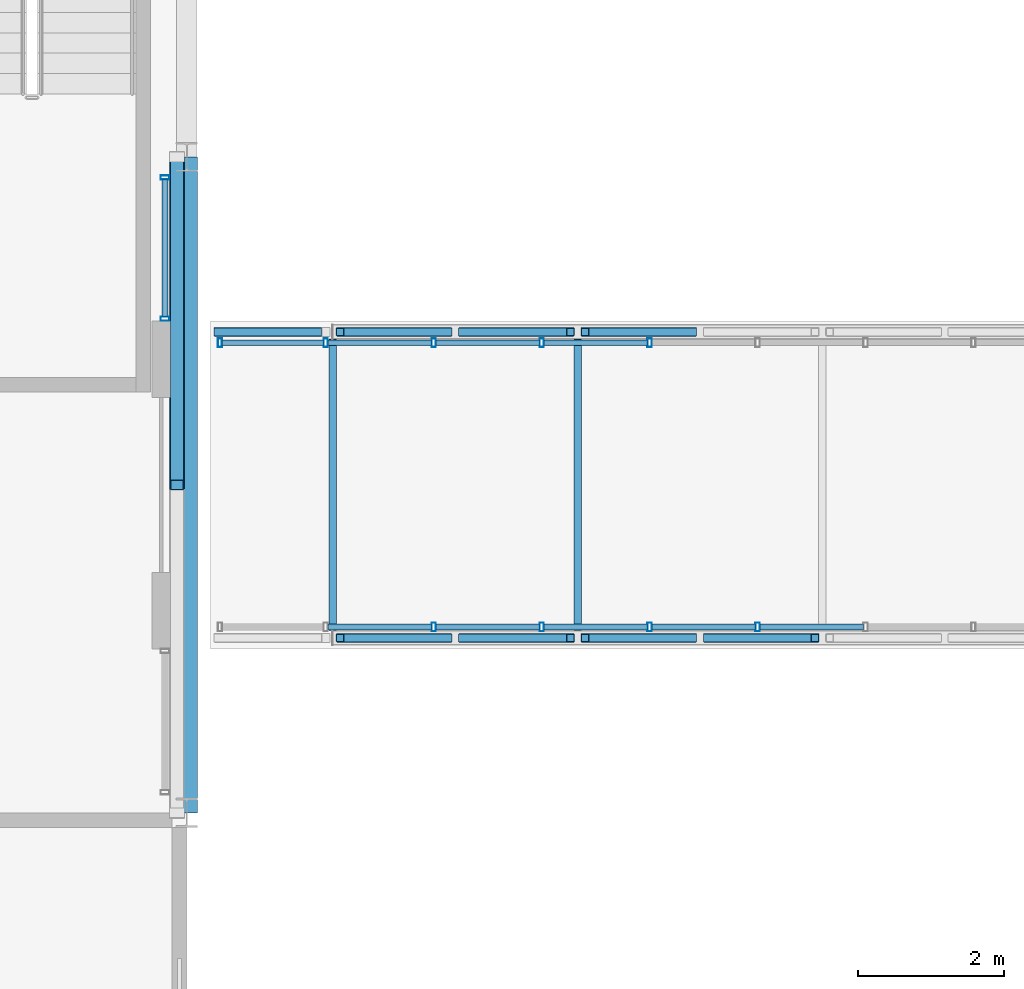
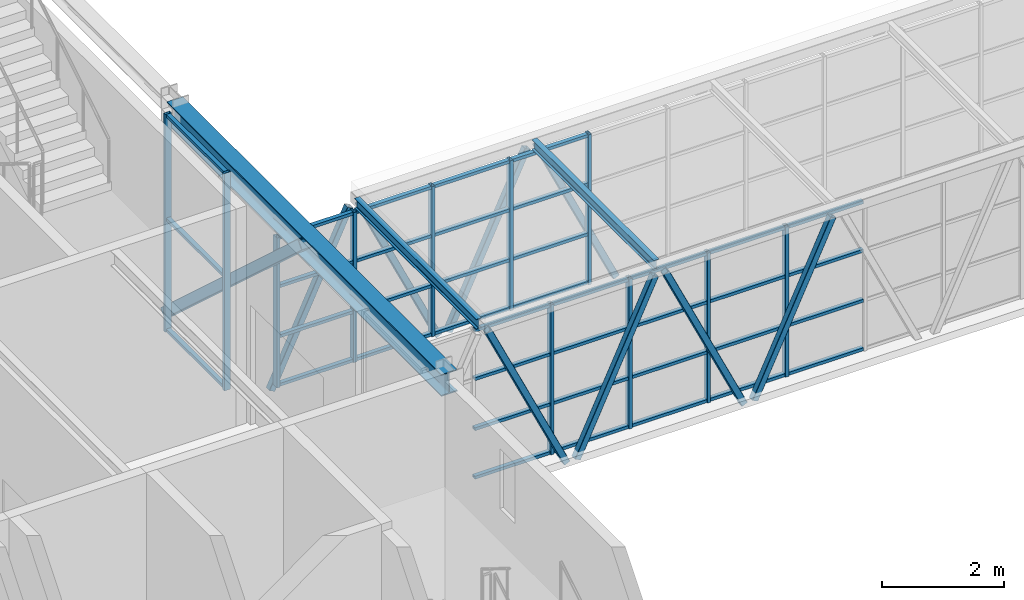
# One storey, part 53 of 149: 59 members, 3 beams, 3 elements without a shape of their own.
"""IFC4 building model written with IfcOpenShell, lengths in metres."""

from ifc_helpers import new_model, si_unit, direction, frame, origin, origin_2d, place, context, subcontext, project, spatial, hollow_rectangle, i_section, extrude, material, layer, layer_set, material_profile, profile_set, type_object, element, aggregate, save


model = new_model("IFC4")

# Units and contexts
model_context = context("Model", 3, precision=1e-05, world=origin(), true_north=direction((0.0, 1.0)))
body_context = subcontext(model_context, "Body", "Model", "MODEL_VIEW")
ifc_project = project(units=[si_unit("LENGTHUNIT", "METRE"), si_unit("AREAUNIT", "SQUARE_METRE"), si_unit("VOLUMEUNIT", "CUBIC_METRE"), si_unit("PLANEANGLEUNIT", "RADIAN"), si_unit("MASSUNIT", "GRAM", prefix="KILO")], contexts=[model_context])

# Site, building, storey
site_placement = place(None, origin())
site = spatial("IfcSite", under=ifc_project, at=site_placement, CompositionType="ELEMENT")
building_placement = place(site_placement, origin())
building = spatial("IfcBuilding", under=site, at=building_placement, Name="Kallimachos Central Library", CompositionType="ELEMENT")
storey_placement = place(building_placement, frame((0.0, 0.0, 9.89990234375)))
storey = spatial("IfcBuildingStorey", under=building, at=storey_placement, Name="L02", CompositionType="ELEMENT", Elevation=9.89990234375)

# Curtain wall, members
ifc_material_1 = material(Name="Aluminium and laminated glass", Category="aluminium")
curtain_wall_type_1 = type_object("IfcCurtainWallType", Name="Link glazed wall", PredefinedType="NOTDEFINED", material=ifc_material_1)
curtain_wall_1_placement = place(storey_placement, origin())
curtain_wall_1 = element("IfcCurtainWall", 1, at=curtain_wall_1_placement, inside=storey, type_object=curtain_wall_type_1, Name="V1 to V3 bridge glazed side", PredefinedType="NOTDEFINED")
ifc_material_2 = material(Name="Anodised aluminium", Category="aluminium")
ifc_material_profile_1 = material_profile(ifc_material_2, hollow_rectangle(XDim=0.06005859375, YDim=0.1201171875, WallThickness=0.00390625, at=origin_2d()), Name="ALU MULLION 60x120")
ifc_profile_set_1 = profile_set([ifc_material_profile_1], Name="Anodised aluminium")
member_type_1 = type_object("IfcMemberType", Name="ALU MULLION 60x120 mullion", PredefinedType="MULLION", material=ifc_profile_set_1)
member_1_placement = place(storey_placement, frame((113.888916015625, 98.550048828125, 0.0), z_axis=(0.0, 0.0, 1.0), x_axis=(1.0, 0.0, 0.0)))
member_1 = element("IfcMember", 2, at=member_1_placement, type_object=member_type_1, Name="CW74 mullion 3", PredefinedType="MULLION", context=body_context, shape_type="SweptSolid", body=[
    extrude(hollow_rectangle(XDim=0.06005859375, YDim=0.1201171875, WallThickness=0.00390625, at=origin_2d()), origin(), (0.0, 0.0, 1.0), 3.0),
])
member_2_placement = place(storey_placement, frame((115.370849609375, 98.550048828125, 0.0), z_axis=(0.0, 0.0, 1.0), x_axis=(1.0, 0.0, 0.0)))
member_2 = element("IfcMember", 3, at=member_2_placement, type_object=member_type_1, Name="CW74 mullion 4", PredefinedType="MULLION", context=body_context, shape_type="SweptSolid", body=[
    extrude(hollow_rectangle(XDim=0.06005859375, YDim=0.1201171875, WallThickness=0.00390625, at=origin_2d()), origin(), (0.0, 0.0, 1.0), 3.0),
])
member_3_placement = place(storey_placement, frame((116.852783203125, 98.550048828125, 0.0), z_axis=(0.0, 0.0, 1.0), x_axis=(1.0, 0.0, 0.0)))
member_3 = element("IfcMember", 4, at=member_3_placement, type_object=member_type_1, Name="CW74 mullion 5", PredefinedType="MULLION", context=body_context, shape_type="SweptSolid", body=[
    extrude(hollow_rectangle(XDim=0.06005859375, YDim=0.1201171875, WallThickness=0.00390625, at=origin_2d()), origin(), (0.0, 0.0, 1.0), 3.0),
])
member_4_placement = place(storey_placement, frame((118.334716796875, 98.550048828125, 0.0), z_axis=(0.0, 0.0, 1.0), x_axis=(1.0, 0.0, 0.0)))
member_4 = element("IfcMember", 5, at=member_4_placement, type_object=member_type_1, Name="CW74 mullion 6", PredefinedType="MULLION", context=body_context, shape_type="SweptSolid", body=[
    extrude(hollow_rectangle(XDim=0.06005859375, YDim=0.1201171875, WallThickness=0.00390625, at=origin_2d()), origin(), (0.0, 0.0, 1.0), 3.0),
])

curtain_wall_2_placement = place(storey_placement, origin())
curtain_wall_2 = element("IfcCurtainWall", 6, at=curtain_wall_2_placement, inside=storey, type_object=curtain_wall_type_1, Name="V1 to V3 bridge glazed side", PredefinedType="NOTDEFINED")
member_5_placement = place(storey_placement, frame((110.955078125, 102.449951171875, 0.0), z_axis=(0.0, 0.0, 1.0), x_axis=(1.0, 0.0, 0.0)))
member_5 = element("IfcMember", 7, at=member_5_placement, type_object=member_type_1, Name="CW75 mullion 1", PredefinedType="MULLION", context=body_context, shape_type="SweptSolid", body=[
    extrude(hollow_rectangle(XDim=0.06005859375, YDim=0.1201171875, WallThickness=0.00390625, at=origin_2d()), origin(), (0.0, 0.0, 1.0), 3.0),
])
member_6_placement = place(storey_placement, frame((112.406982421875, 102.449951171875, 0.0), z_axis=(0.0, 0.0, 1.0), x_axis=(1.0, 0.0, 0.0)))
member_6 = element("IfcMember", 8, at=member_6_placement, type_object=member_type_1, Name="CW75 mullion 2", PredefinedType="MULLION", context=body_context, shape_type="SweptSolid", body=[
    extrude(hollow_rectangle(XDim=0.06005859375, YDim=0.1201171875, WallThickness=0.00390625, at=origin_2d()), origin(), (0.0, 0.0, 1.0), 3.0),
])
member_7_placement = place(storey_placement, frame((113.888916015625, 102.449951171875, 0.0), z_axis=(0.0, 0.0, 1.0), x_axis=(1.0, 0.0, 0.0)))
member_7 = element("IfcMember", 9, at=member_7_placement, type_object=member_type_1, Name="CW75 mullion 3", PredefinedType="MULLION", context=body_context, shape_type="SweptSolid", body=[
    extrude(hollow_rectangle(XDim=0.06005859375, YDim=0.1201171875, WallThickness=0.00390625, at=origin_2d()), origin(), (0.0, 0.0, 1.0), 3.0),
])
member_8_placement = place(storey_placement, frame((115.370849609375, 102.449951171875, 0.0), z_axis=(0.0, 0.0, 1.0), x_axis=(1.0, 0.0, 0.0)))
member_8 = element("IfcMember", 10, at=member_8_placement, type_object=member_type_1, Name="CW75 mullion 4", PredefinedType="MULLION", context=body_context, shape_type="SweptSolid", body=[
    extrude(hollow_rectangle(XDim=0.06005859375, YDim=0.1201171875, WallThickness=0.00390625, at=origin_2d()), origin(), (0.0, 0.0, 1.0), 3.0),
])
member_9_placement = place(storey_placement, frame((116.852783203125, 102.449951171875, 0.0), z_axis=(0.0, 0.0, 1.0), x_axis=(1.0, 0.0, 0.0)))
member_9 = element("IfcMember", 11, at=member_9_placement, type_object=member_type_1, Name="CW75 mullion 5", PredefinedType="MULLION", context=body_context, shape_type="SweptSolid", body=[
    extrude(hollow_rectangle(XDim=0.06005859375, YDim=0.1201171875, WallThickness=0.00390625, at=origin_2d()), origin(), (0.0, 0.0, 1.0), 3.0),
])

# Member
ifc_material_3 = material(Name="Anodised aluminium", Category="aluminium")
ifc_material_profile_2 = material_profile(ifc_material_3, hollow_rectangle(XDim=0.06005859375, YDim=0.080078125, WallThickness=0.00390625, at=origin_2d()), Name="ALU TRANSOM 60x80")
ifc_profile_set_2 = profile_set([ifc_material_profile_2], Name="Anodised aluminium")
member_type_2 = type_object("IfcMemberType", Name="ALU TRANSOM 60x80 transom", PredefinedType="USERDEFINED", material=ifc_profile_set_2)
member_10_placement = place(storey_placement, frame((112.43701171875, 98.550048828125, 0.030029296875), z_axis=(1.0, 0.0, 0.0), x_axis=(0.0, 0.0, 1.0)))
member_10 = element("IfcMember", 12, at=member_10_placement, type_object=member_type_2, Name="CW74 transom 2.1", ObjectType="TRANSOM", PredefinedType="USERDEFINED", context=body_context, shape_type="SweptSolid", body=[
    extrude(hollow_rectangle(XDim=0.06005859375, YDim=0.080078125, WallThickness=0.00390625, at=origin_2d()), origin(), (0.0, 0.0, 1.0), 1.421875),
])

member_11_placement = place(storey_placement, frame((112.43701171875, 98.550048828125, 1.0), z_axis=(1.0, 0.0, 0.0), x_axis=(0.0, 0.0, 1.0)))
member_11 = element("IfcMember", 13, at=member_11_placement, type_object=member_type_2, Name="CW74 transom 2.2", ObjectType="TRANSOM", PredefinedType="USERDEFINED", context=body_context, shape_type="SweptSolid", body=[
    extrude(hollow_rectangle(XDim=0.06005859375, YDim=0.080078125, WallThickness=0.00390625, at=origin_2d()), origin(), (0.0, 0.0, 1.0), 1.421875),
])

member_12_placement = place(storey_placement, frame((112.43701171875, 98.550048828125, 2.0), z_axis=(1.0, 0.0, 0.0), x_axis=(0.0, 0.0, 1.0)))
member_12 = element("IfcMember", 14, at=member_12_placement, type_object=member_type_2, Name="CW74 transom 2.3", ObjectType="TRANSOM", PredefinedType="USERDEFINED", context=body_context, shape_type="SweptSolid", body=[
    extrude(hollow_rectangle(XDim=0.06005859375, YDim=0.080078125, WallThickness=0.00390625, at=origin_2d()), origin(), (0.0, 0.0, 1.0), 1.421875),
])

member_13_placement = place(storey_placement, frame((112.43701171875, 98.550048828125, 2.97021484375), z_axis=(1.0, 0.0, 0.0), x_axis=(0.0, 0.0, 1.0)))
member_13 = element("IfcMember", 15, at=member_13_placement, type_object=member_type_2, Name="CW74 transom 2.4", ObjectType="TRANSOM", PredefinedType="USERDEFINED", context=body_context, shape_type="SweptSolid", body=[
    extrude(hollow_rectangle(XDim=0.06005859375, YDim=0.080078125, WallThickness=0.00390625, at=origin_2d()), origin(), (0.0, 0.0, 1.0), 1.421875),
])

member_14_placement = place(storey_placement, frame((113.9189453125, 98.550048828125, 0.030029296875), z_axis=(1.0, 0.0, 0.0), x_axis=(0.0, 0.0, 1.0)))
member_14 = element("IfcMember", 16, at=member_14_placement, type_object=member_type_2, Name="CW74 transom 3.1", ObjectType="TRANSOM", PredefinedType="USERDEFINED", context=body_context, shape_type="SweptSolid", body=[
    extrude(hollow_rectangle(XDim=0.06005859375, YDim=0.080078125, WallThickness=0.00390625, at=origin_2d()), origin(), (0.0, 0.0, 1.0), 1.421875),
])

member_15_placement = place(storey_placement, frame((113.9189453125, 98.550048828125, 1.0), z_axis=(1.0, 0.0, 0.0), x_axis=(0.0, 0.0, 1.0)))
member_15 = element("IfcMember", 17, at=member_15_placement, type_object=member_type_2, Name="CW74 transom 3.2", ObjectType="TRANSOM", PredefinedType="USERDEFINED", context=body_context, shape_type="SweptSolid", body=[
    extrude(hollow_rectangle(XDim=0.06005859375, YDim=0.080078125, WallThickness=0.00390625, at=origin_2d()), origin(), (0.0, 0.0, 1.0), 1.421875),
])

member_16_placement = place(storey_placement, frame((113.9189453125, 98.550048828125, 2.0), z_axis=(1.0, 0.0, 0.0), x_axis=(0.0, 0.0, 1.0)))
member_16 = element("IfcMember", 18, at=member_16_placement, type_object=member_type_2, Name="CW74 transom 3.3", ObjectType="TRANSOM", PredefinedType="USERDEFINED", context=body_context, shape_type="SweptSolid", body=[
    extrude(hollow_rectangle(XDim=0.06005859375, YDim=0.080078125, WallThickness=0.00390625, at=origin_2d()), origin(), (0.0, 0.0, 1.0), 1.421875),
])

member_17_placement = place(storey_placement, frame((113.9189453125, 98.550048828125, 2.97021484375), z_axis=(1.0, 0.0, 0.0), x_axis=(0.0, 0.0, 1.0)))
member_17 = element("IfcMember", 19, at=member_17_placement, type_object=member_type_2, Name="CW74 transom 3.4", ObjectType="TRANSOM", PredefinedType="USERDEFINED", context=body_context, shape_type="SweptSolid", body=[
    extrude(hollow_rectangle(XDim=0.06005859375, YDim=0.080078125, WallThickness=0.00390625, at=origin_2d()), origin(), (0.0, 0.0, 1.0), 1.421875),
])

member_18_placement = place(storey_placement, frame((115.40087890625, 98.550048828125, 0.030029296875), z_axis=(1.0, 0.0, 0.0), x_axis=(0.0, 0.0, 1.0)))
member_18 = element("IfcMember", 20, at=member_18_placement, type_object=member_type_2, Name="CW74 transom 4.1", ObjectType="TRANSOM", PredefinedType="USERDEFINED", context=body_context, shape_type="SweptSolid", body=[
    extrude(hollow_rectangle(XDim=0.06005859375, YDim=0.080078125, WallThickness=0.00390625, at=origin_2d()), origin(), (0.0, 0.0, 1.0), 1.421875),
])

member_19_placement = place(storey_placement, frame((115.40087890625, 98.550048828125, 1.0), z_axis=(1.0, 0.0, 0.0), x_axis=(0.0, 0.0, 1.0)))
member_19 = element("IfcMember", 21, at=member_19_placement, type_object=member_type_2, Name="CW74 transom 4.2", ObjectType="TRANSOM", PredefinedType="USERDEFINED", context=body_context, shape_type="SweptSolid", body=[
    extrude(hollow_rectangle(XDim=0.06005859375, YDim=0.080078125, WallThickness=0.00390625, at=origin_2d()), origin(), (0.0, 0.0, 1.0), 1.421875),
])

member_20_placement = place(storey_placement, frame((115.40087890625, 98.550048828125, 2.0), z_axis=(1.0, 0.0, 0.0), x_axis=(0.0, 0.0, 1.0)))
member_20 = element("IfcMember", 22, at=member_20_placement, type_object=member_type_2, Name="CW74 transom 4.3", ObjectType="TRANSOM", PredefinedType="USERDEFINED", context=body_context, shape_type="SweptSolid", body=[
    extrude(hollow_rectangle(XDim=0.06005859375, YDim=0.080078125, WallThickness=0.00390625, at=origin_2d()), origin(), (0.0, 0.0, 1.0), 1.421875),
])

member_21_placement = place(storey_placement, frame((115.40087890625, 98.550048828125, 2.97021484375), z_axis=(1.0, 0.0, 0.0), x_axis=(0.0, 0.0, 1.0)))
member_21 = element("IfcMember", 23, at=member_21_placement, type_object=member_type_2, Name="CW74 transom 4.4", ObjectType="TRANSOM", PredefinedType="USERDEFINED", context=body_context, shape_type="SweptSolid", body=[
    extrude(hollow_rectangle(XDim=0.06005859375, YDim=0.080078125, WallThickness=0.00390625, at=origin_2d()), origin(), (0.0, 0.0, 1.0), 1.421875),
])

member_22_placement = place(storey_placement, frame((116.8828125, 98.550048828125, 0.030029296875), z_axis=(1.0, 0.0, 0.0), x_axis=(0.0, 0.0, 1.0)))
member_22 = element("IfcMember", 24, at=member_22_placement, type_object=member_type_2, Name="CW74 transom 5.1", ObjectType="TRANSOM", PredefinedType="USERDEFINED", context=body_context, shape_type="SweptSolid", body=[
    extrude(hollow_rectangle(XDim=0.06005859375, YDim=0.080078125, WallThickness=0.00390625, at=origin_2d()), origin(), (0.0, 0.0, 1.0), 1.421875),
])

member_23_placement = place(storey_placement, frame((116.8828125, 98.550048828125, 1.0), z_axis=(1.0, 0.0, 0.0), x_axis=(0.0, 0.0, 1.0)))
member_23 = element("IfcMember", 25, at=member_23_placement, type_object=member_type_2, Name="CW74 transom 5.2", ObjectType="TRANSOM", PredefinedType="USERDEFINED", context=body_context, shape_type="SweptSolid", body=[
    extrude(hollow_rectangle(XDim=0.06005859375, YDim=0.080078125, WallThickness=0.00390625, at=origin_2d()), origin(), (0.0, 0.0, 1.0), 1.421875),
])

member_24_placement = place(storey_placement, frame((116.8828125, 98.550048828125, 2.0), z_axis=(1.0, 0.0, 0.0), x_axis=(0.0, 0.0, 1.0)))
member_24 = element("IfcMember", 26, at=member_24_placement, type_object=member_type_2, Name="CW74 transom 5.3", ObjectType="TRANSOM", PredefinedType="USERDEFINED", context=body_context, shape_type="SweptSolid", body=[
    extrude(hollow_rectangle(XDim=0.06005859375, YDim=0.080078125, WallThickness=0.00390625, at=origin_2d()), origin(), (0.0, 0.0, 1.0), 1.421875),
])

member_25_placement = place(storey_placement, frame((116.8828125, 98.550048828125, 2.97021484375), z_axis=(1.0, 0.0, 0.0), x_axis=(0.0, 0.0, 1.0)))
member_25 = element("IfcMember", 27, at=member_25_placement, type_object=member_type_2, Name="CW74 transom 5.4", ObjectType="TRANSOM", PredefinedType="USERDEFINED", context=body_context, shape_type="SweptSolid", body=[
    extrude(hollow_rectangle(XDim=0.06005859375, YDim=0.080078125, WallThickness=0.00390625, at=origin_2d()), origin(), (0.0, 0.0, 1.0), 1.421875),
])

member_26_placement = place(storey_placement, frame((118.36474609375, 98.550048828125, 0.030029296875), z_axis=(1.0, 0.0, 0.0), x_axis=(0.0, 0.0, 1.0)))
member_26 = element("IfcMember", 28, at=member_26_placement, type_object=member_type_2, Name="CW74 transom 6.1", ObjectType="TRANSOM", PredefinedType="USERDEFINED", context=body_context, shape_type="SweptSolid", body=[
    extrude(hollow_rectangle(XDim=0.06005859375, YDim=0.080078125, WallThickness=0.00390625, at=origin_2d()), origin(), (0.0, 0.0, 1.0), 1.421875),
])

member_27_placement = place(storey_placement, frame((118.36474609375, 98.550048828125, 1.0), z_axis=(1.0, 0.0, 0.0), x_axis=(0.0, 0.0, 1.0)))
member_27 = element("IfcMember", 29, at=member_27_placement, type_object=member_type_2, Name="CW74 transom 6.2", ObjectType="TRANSOM", PredefinedType="USERDEFINED", context=body_context, shape_type="SweptSolid", body=[
    extrude(hollow_rectangle(XDim=0.06005859375, YDim=0.080078125, WallThickness=0.00390625, at=origin_2d()), origin(), (0.0, 0.0, 1.0), 1.421875),
])

member_28_placement = place(storey_placement, frame((118.36474609375, 98.550048828125, 2.0), z_axis=(1.0, 0.0, 0.0), x_axis=(0.0, 0.0, 1.0)))
member_28 = element("IfcMember", 30, at=member_28_placement, type_object=member_type_2, Name="CW74 transom 6.3", ObjectType="TRANSOM", PredefinedType="USERDEFINED", context=body_context, shape_type="SweptSolid", body=[
    extrude(hollow_rectangle(XDim=0.06005859375, YDim=0.080078125, WallThickness=0.00390625, at=origin_2d()), origin(), (0.0, 0.0, 1.0), 1.421875),
])

member_29_placement = place(storey_placement, frame((118.36474609375, 98.550048828125, 2.97021484375), z_axis=(1.0, 0.0, 0.0), x_axis=(0.0, 0.0, 1.0)))
member_29 = element("IfcMember", 31, at=member_29_placement, type_object=member_type_2, Name="CW74 transom 6.4", ObjectType="TRANSOM", PredefinedType="USERDEFINED", context=body_context, shape_type="SweptSolid", body=[
    extrude(hollow_rectangle(XDim=0.06005859375, YDim=0.080078125, WallThickness=0.00390625, at=origin_2d()), origin(), (0.0, 0.0, 1.0), 1.421875),
])

aggregate(curtain_wall_1, [member_1, member_2, member_3, member_4, member_10, member_11, member_12, member_13, member_14, member_15, member_16, member_17, member_18, member_19, member_20, member_21, member_22, member_23, member_24, member_25, member_26, member_27, member_28, member_29])

member_30_placement = place(storey_placement, frame((110.985107421875, 102.449951171875, 0.030029296875), z_axis=(1.0, 0.0, 0.0), x_axis=(0.0, 0.0, 1.0)))
member_30 = element("IfcMember", 32, at=member_30_placement, type_object=member_type_2, Name="CW75 transom 1.1", ObjectType="TRANSOM", PredefinedType="USERDEFINED", context=body_context, shape_type="SweptSolid", body=[
    extrude(hollow_rectangle(XDim=0.06005859375, YDim=0.080078125, WallThickness=0.00390625, at=origin_2d()), origin(), (0.0, 0.0, 1.0), 1.391845703125),
])

member_31_placement = place(storey_placement, frame((110.985107421875, 102.449951171875, 1.0), z_axis=(1.0, 0.0, 0.0), x_axis=(0.0, 0.0, 1.0)))
member_31 = element("IfcMember", 33, at=member_31_placement, type_object=member_type_2, Name="CW75 transom 1.2", ObjectType="TRANSOM", PredefinedType="USERDEFINED", context=body_context, shape_type="SweptSolid", body=[
    extrude(hollow_rectangle(XDim=0.06005859375, YDim=0.080078125, WallThickness=0.00390625, at=origin_2d()), origin(), (0.0, 0.0, 1.0), 1.391845703125),
])

member_32_placement = place(storey_placement, frame((110.985107421875, 102.449951171875, 2.0), z_axis=(1.0, 0.0, 0.0), x_axis=(0.0, 0.0, 1.0)))
member_32 = element("IfcMember", 34, at=member_32_placement, type_object=member_type_2, Name="CW75 transom 1.3", ObjectType="TRANSOM", PredefinedType="USERDEFINED", context=body_context, shape_type="SweptSolid", body=[
    extrude(hollow_rectangle(XDim=0.06005859375, YDim=0.080078125, WallThickness=0.00390625, at=origin_2d()), origin(), (0.0, 0.0, 1.0), 1.391845703125),
])

member_33_placement = place(storey_placement, frame((110.985107421875, 102.449951171875, 2.97021484375), z_axis=(1.0, 0.0, 0.0), x_axis=(0.0, 0.0, 1.0)))
member_33 = element("IfcMember", 35, at=member_33_placement, type_object=member_type_2, Name="CW75 transom 1.4", ObjectType="TRANSOM", PredefinedType="USERDEFINED", context=body_context, shape_type="SweptSolid", body=[
    extrude(hollow_rectangle(XDim=0.06005859375, YDim=0.080078125, WallThickness=0.00390625, at=origin_2d()), origin(), (0.0, 0.0, 1.0), 1.391845703125),
])

member_34_placement = place(storey_placement, frame((112.43701171875, 102.449951171875, 0.030029296875), z_axis=(1.0, 0.0, 0.0), x_axis=(0.0, 0.0, 1.0)))
member_34 = element("IfcMember", 36, at=member_34_placement, type_object=member_type_2, Name="CW75 transom 2.1", ObjectType="TRANSOM", PredefinedType="USERDEFINED", context=body_context, shape_type="SweptSolid", body=[
    extrude(hollow_rectangle(XDim=0.06005859375, YDim=0.080078125, WallThickness=0.00390625, at=origin_2d()), origin(), (0.0, 0.0, 1.0), 1.421875),
])

member_35_placement = place(storey_placement, frame((112.43701171875, 102.449951171875, 1.0), z_axis=(1.0, 0.0, 0.0), x_axis=(0.0, 0.0, 1.0)))
member_35 = element("IfcMember", 37, at=member_35_placement, type_object=member_type_2, Name="CW75 transom 2.2", ObjectType="TRANSOM", PredefinedType="USERDEFINED", context=body_context, shape_type="SweptSolid", body=[
    extrude(hollow_rectangle(XDim=0.06005859375, YDim=0.080078125, WallThickness=0.00390625, at=origin_2d()), origin(), (0.0, 0.0, 1.0), 1.421875),
])

member_36_placement = place(storey_placement, frame((112.43701171875, 102.449951171875, 2.0), z_axis=(1.0, 0.0, 0.0), x_axis=(0.0, 0.0, 1.0)))
member_36 = element("IfcMember", 38, at=member_36_placement, type_object=member_type_2, Name="CW75 transom 2.3", ObjectType="TRANSOM", PredefinedType="USERDEFINED", context=body_context, shape_type="SweptSolid", body=[
    extrude(hollow_rectangle(XDim=0.06005859375, YDim=0.080078125, WallThickness=0.00390625, at=origin_2d()), origin(), (0.0, 0.0, 1.0), 1.421875),
])

member_37_placement = place(storey_placement, frame((112.43701171875, 102.449951171875, 2.97021484375), z_axis=(1.0, 0.0, 0.0), x_axis=(0.0, 0.0, 1.0)))
member_37 = element("IfcMember", 39, at=member_37_placement, type_object=member_type_2, Name="CW75 transom 2.4", ObjectType="TRANSOM", PredefinedType="USERDEFINED", context=body_context, shape_type="SweptSolid", body=[
    extrude(hollow_rectangle(XDim=0.06005859375, YDim=0.080078125, WallThickness=0.00390625, at=origin_2d()), origin(), (0.0, 0.0, 1.0), 1.421875),
])

member_38_placement = place(storey_placement, frame((113.9189453125, 102.449951171875, 0.030029296875), z_axis=(1.0, 0.0, 0.0), x_axis=(0.0, 0.0, 1.0)))
member_38 = element("IfcMember", 40, at=member_38_placement, type_object=member_type_2, Name="CW75 transom 3.1", ObjectType="TRANSOM", PredefinedType="USERDEFINED", context=body_context, shape_type="SweptSolid", body=[
    extrude(hollow_rectangle(XDim=0.06005859375, YDim=0.080078125, WallThickness=0.00390625, at=origin_2d()), origin(), (0.0, 0.0, 1.0), 1.421875),
])

member_39_placement = place(storey_placement, frame((113.9189453125, 102.449951171875, 1.0), z_axis=(1.0, 0.0, 0.0), x_axis=(0.0, 0.0, 1.0)))
member_39 = element("IfcMember", 41, at=member_39_placement, type_object=member_type_2, Name="CW75 transom 3.2", ObjectType="TRANSOM", PredefinedType="USERDEFINED", context=body_context, shape_type="SweptSolid", body=[
    extrude(hollow_rectangle(XDim=0.06005859375, YDim=0.080078125, WallThickness=0.00390625, at=origin_2d()), origin(), (0.0, 0.0, 1.0), 1.421875),
])

member_40_placement = place(storey_placement, frame((113.9189453125, 102.449951171875, 2.0), z_axis=(1.0, 0.0, 0.0), x_axis=(0.0, 0.0, 1.0)))
member_40 = element("IfcMember", 42, at=member_40_placement, type_object=member_type_2, Name="CW75 transom 3.3", ObjectType="TRANSOM", PredefinedType="USERDEFINED", context=body_context, shape_type="SweptSolid", body=[
    extrude(hollow_rectangle(XDim=0.06005859375, YDim=0.080078125, WallThickness=0.00390625, at=origin_2d()), origin(), (0.0, 0.0, 1.0), 1.421875),
])

member_41_placement = place(storey_placement, frame((113.9189453125, 102.449951171875, 2.97021484375), z_axis=(1.0, 0.0, 0.0), x_axis=(0.0, 0.0, 1.0)))
member_41 = element("IfcMember", 43, at=member_41_placement, type_object=member_type_2, Name="CW75 transom 3.4", ObjectType="TRANSOM", PredefinedType="USERDEFINED", context=body_context, shape_type="SweptSolid", body=[
    extrude(hollow_rectangle(XDim=0.06005859375, YDim=0.080078125, WallThickness=0.00390625, at=origin_2d()), origin(), (0.0, 0.0, 1.0), 1.421875),
])

member_42_placement = place(storey_placement, frame((115.40087890625, 102.449951171875, 0.030029296875), z_axis=(1.0, 0.0, 0.0), x_axis=(0.0, 0.0, 1.0)))
member_42 = element("IfcMember", 44, at=member_42_placement, type_object=member_type_2, Name="CW75 transom 4.1", ObjectType="TRANSOM", PredefinedType="USERDEFINED", context=body_context, shape_type="SweptSolid", body=[
    extrude(hollow_rectangle(XDim=0.06005859375, YDim=0.080078125, WallThickness=0.00390625, at=origin_2d()), origin(), (0.0, 0.0, 1.0), 1.421875),
])

member_43_placement = place(storey_placement, frame((115.40087890625, 102.449951171875, 1.0), z_axis=(1.0, 0.0, 0.0), x_axis=(0.0, 0.0, 1.0)))
member_43 = element("IfcMember", 45, at=member_43_placement, type_object=member_type_2, Name="CW75 transom 4.2", ObjectType="TRANSOM", PredefinedType="USERDEFINED", context=body_context, shape_type="SweptSolid", body=[
    extrude(hollow_rectangle(XDim=0.06005859375, YDim=0.080078125, WallThickness=0.00390625, at=origin_2d()), origin(), (0.0, 0.0, 1.0), 1.421875),
])

member_44_placement = place(storey_placement, frame((115.40087890625, 102.449951171875, 2.0), z_axis=(1.0, 0.0, 0.0), x_axis=(0.0, 0.0, 1.0)))
member_44 = element("IfcMember", 46, at=member_44_placement, type_object=member_type_2, Name="CW75 transom 4.3", ObjectType="TRANSOM", PredefinedType="USERDEFINED", context=body_context, shape_type="SweptSolid", body=[
    extrude(hollow_rectangle(XDim=0.06005859375, YDim=0.080078125, WallThickness=0.00390625, at=origin_2d()), origin(), (0.0, 0.0, 1.0), 1.421875),
])

member_45_placement = place(storey_placement, frame((115.40087890625, 102.449951171875, 2.97021484375), z_axis=(1.0, 0.0, 0.0), x_axis=(0.0, 0.0, 1.0)))
member_45 = element("IfcMember", 47, at=member_45_placement, type_object=member_type_2, Name="CW75 transom 4.4", ObjectType="TRANSOM", PredefinedType="USERDEFINED", context=body_context, shape_type="SweptSolid", body=[
    extrude(hollow_rectangle(XDim=0.06005859375, YDim=0.080078125, WallThickness=0.00390625, at=origin_2d()), origin(), (0.0, 0.0, 1.0), 1.421875),
])

aggregate(curtain_wall_2, [member_5, member_6, member_7, member_8, member_9, member_30, member_31, member_32, member_33, member_34, member_35, member_36, member_37, member_38, member_39, member_40, member_41, member_42, member_43, member_44, member_45])

# Curtain wall, members
ifc_material_4 = material(Name="Anodised aluminium and laminated glass", Category="aluminium")
ifc_layer = layer(ifc_material_4, 0.159912109375)
ifc_layer_set = layer_set([ifc_layer], Name="Glass box curtain wall")
curtain_wall_type_2 = type_object("IfcCurtainWallType", Name="Glass box curtain wall", PredefinedType="NOTDEFINED", material=ifc_layer_set)
curtain_wall_3_placement = place(storey_placement, origin())
curtain_wall_3 = element("IfcCurtainWall", 48, at=curtain_wall_3_placement, inside=storey, type_object=curtain_wall_type_2, Name="Glass box curtain wall E L02", PredefinedType="NOTDEFINED")
ifc_material_5 = material(Name="Anodised aluminium", Category="aluminium")
ifc_material_profile_3 = material_profile(ifc_material_5, hollow_rectangle(XDim=0.06005859375, YDim=0.1201171875, WallThickness=0.00390625, at=origin_2d()), Name="ALU MULLION 60x120")
ifc_profile_set_3 = profile_set([ifc_material_profile_3], Name="Anodised aluminium")
member_type_3 = type_object("IfcMemberType", Name="Glass box mullion 60x120", PredefinedType="MULLION", material=ifc_profile_set_3)
member_46_placement = place(storey_placement, frame((110.199951171875, 102.780029296875, 0.0), z_axis=(0.0, 0.0, 1.0), x_axis=(0.0, 1.0, 0.0)))
member_46 = element("IfcMember", 49, at=member_46_placement, type_object=member_type_3, Name="CW18 mullion 1", PredefinedType="MULLION", context=body_context, shape_type="SweptSolid", body=[
    extrude(hollow_rectangle(XDim=0.06005859375, YDim=0.1201171875, WallThickness=0.00390625, at=origin_2d()), origin(), (0.0, 0.0, 1.0), 4.35009765625),
])
member_47_placement = place(storey_placement, frame((110.199951171875, 104.719970703125, 0.0), z_axis=(0.0, 0.0, 1.0), x_axis=(0.0, 1.0, 0.0)))
member_47 = element("IfcMember", 50, at=member_47_placement, type_object=member_type_3, Name="CW18 mullion 2", PredefinedType="MULLION", context=body_context, shape_type="SweptSolid", body=[
    extrude(hollow_rectangle(XDim=0.06005859375, YDim=0.1201171875, WallThickness=0.00390625, at=origin_2d()), origin(), (0.0, 0.0, 1.0), 4.35009765625),
])
ifc_material_6 = material(Name="Anodised aluminium", Category="aluminium")
ifc_material_profile_4 = material_profile(ifc_material_6, hollow_rectangle(XDim=0.06005859375, YDim=0.080078125, WallThickness=0.00390625, at=origin_2d()), Name="ALU TRANSOM 60x80")
ifc_profile_set_4 = profile_set([ifc_material_profile_4], Name="Anodised aluminium")
member_type_4 = type_object("IfcMemberType", Name="Glass box transom 60x80", PredefinedType="USERDEFINED", material=ifc_profile_set_4)
member_48_placement = place(storey_placement, frame((110.199951171875, 102.81005859375, 0.030029296875), z_axis=(0.0, 1.0, 0.0), x_axis=(0.0, 0.0, 1.0)))
member_48 = element("IfcMember", 51, at=member_48_placement, type_object=member_type_4, Name="CW18 transom 1.1", ObjectType="TRANSOM", PredefinedType="USERDEFINED", context=body_context, shape_type="SweptSolid", body=[
    extrude(hollow_rectangle(XDim=0.06005859375, YDim=0.080078125, WallThickness=0.00390625, at=origin_2d()), origin(), (0.0, 0.0, 1.0), 1.8798828125),
])
member_49_placement = place(storey_placement, frame((110.199951171875, 102.81005859375, 2.25), z_axis=(0.0, 1.0, 0.0), x_axis=(0.0, 0.0, 1.0)))
member_49 = element("IfcMember", 52, at=member_49_placement, type_object=member_type_4, Name="CW18 transom 1.2", ObjectType="TRANSOM", PredefinedType="USERDEFINED", context=body_context, shape_type="SweptSolid", body=[
    extrude(hollow_rectangle(XDim=0.06005859375, YDim=0.080078125, WallThickness=0.00390625, at=origin_2d()), origin(), (0.0, 0.0, 1.0), 1.8798828125),
])
member_50_placement = place(storey_placement, frame((110.199951171875, 102.81005859375, 4.320068359375), z_axis=(0.0, 1.0, 0.0), x_axis=(0.0, 0.0, 1.0)))
member_50 = element("IfcMember", 53, at=member_50_placement, type_object=member_type_4, Name="CW18 transom 1.3", ObjectType="TRANSOM", PredefinedType="USERDEFINED", context=body_context, shape_type="SweptSolid", body=[
    extrude(hollow_rectangle(XDim=0.06005859375, YDim=0.080078125, WallThickness=0.00390625, at=origin_2d()), origin(), (0.0, 0.0, 1.0), 1.8798828125),
])
aggregate(curtain_wall_3, [member_46, member_47, member_48, member_49, member_50])

# Beams
ifc_material_7 = material(Name="Steel S355J2", Category="steel")
ifc_material_profile_5 = material_profile(ifc_material_7, i_section(OverallWidth=0.300048828125, OverallDepth=0.43994140625, WebThickness=0.011474609375, FlangeThickness=0.02099609375, FilletRadius=0.027099609375, at=origin_2d()), Name="HEA 450")
ifc_profile_set_5 = profile_set([ifc_material_profile_5], Name="Steel S355J2")
beam_type_1 = type_object("IfcBeamType", Name="HEA 450 beam", PredefinedType="BEAM", material=ifc_profile_set_5)
beam_placement = place(storey_placement, frame((110.5, 96.0, 4.130126953125), z_axis=(0.0, 1.0, 0.0), x_axis=(-1.0, 0.0, 0.0)))
element("IfcBeam", 54, at=beam_placement, inside=storey, type_object=beam_type_1, Name="V1-BEM-L02-035", PredefinedType="BEAM", context=body_context, shape_type="SweptSolid", body=[
    extrude(i_section(OverallWidth=0.300048828125, OverallDepth=0.43994140625, WebThickness=0.011474609375, FlangeThickness=0.02099609375, FilletRadius=0.027099609375, at=origin_2d()), origin(), (0.0, 0.0, 1.0), 9.0),
])
ifc_material_8 = material(Name="Steel S355J2", Category="steel")
ifc_material_profile_6 = material_profile(ifc_material_8, i_section(OverallWidth=0.10009765625, OverallDepth=0.199951171875, WebThickness=0.005615234375, FlangeThickness=0.008544921875, FilletRadius=0.011962890625, at=origin_2d()), Name="IPE 200")
ifc_profile_set_6 = profile_set([ifc_material_profile_6], Name="Steel S355J2")
beam_type_2 = type_object("IfcBeamType", Name="IPE 200 beam", PredefinedType="BEAM", material=ifc_profile_set_6)
for number, where, z_axis, x_axis, name in (
    (55, (112.504638671875, 98.5, 3.10009765625), (0.0, 1.0, 0.0), (-1.0, 0.0, 0.0), "B-E roof cross beam"),
    (56, (115.864013671875, 98.5, 3.10009765625), (0.0, 1.0, 0.0), (-1.0, 0.0, 0.0), "B-E roof cross beam"),
):
    element("IfcBeam", number, at=place(storey_placement, frame(where, z_axis=z_axis, x_axis=x_axis)), inside=storey, type_object=beam_type_2, Name=name, PredefinedType="BEAM", context=body_context, shape_type="SweptSolid", body=[
        extrude(i_section(OverallWidth=0.10009765625, OverallDepth=0.199951171875, WebThickness=0.005615234375, FlangeThickness=0.008544921875, FilletRadius=0.011962890625, at=origin_2d()), origin(), (0.0, 0.0, 1.0), 4.0),
    ])

# Members
ifc_material_9 = material(Name="Steel S355J2H", Category="steel")
ifc_material_profile_7 = material_profile(ifc_material_9, hollow_rectangle(XDim=0.1201171875, YDim=0.1201171875, WallThickness=0.008056640625, InnerFilletRadius=0.008056640625, OuterFilletRadius=0.011962890625, at=origin_2d()), Name="SHS 120x120x8")
ifc_profile_set_7 = profile_set([ifc_material_profile_7], Name="Steel S355J2H")
member_type_5 = type_object("IfcMemberType", Name="SHS 120x120x8 web", PredefinedType="BRACE", material=ifc_profile_set_7)
for number, where, z_axis, x_axis, name in (
    (57, (112.604736328125, 98.39990234375, 3.0), (0.425192201844, 0.0, -0.905103083351), (0.0, 1.0, 0.0), "links-MEM-L02-037"),
    (58, (114.284423828125, 98.39990234375, -0.14990234375), (0.425192201844, 0.0, 0.905103083351), (0.0, 1.0, 0.0), "links-MEM-L02-038"),
    (59, (115.964111328125, 98.39990234375, 3.0), (0.425192201844, 0.0, -0.905103083351), (0.0, 1.0, 0.0), "links-MEM-L02-039"),
    (60, (117.643798828125, 98.39990234375, -0.14990234375), (0.425192201844, 0.0, 0.905103083351), (0.0, 1.0, 0.0), "links-MEM-L02-040"),
    (61, (110.925048828125, 102.60009765625, -0.14990234375), (0.425192201844, 0.0, 0.905103083351), (0.0, 1.0, 0.0), "links-MEM-L02-053"),
    (62, (112.604736328125, 102.60009765625, 3.0), (0.425192201844, 0.0, -0.905103083351), (0.0, 1.0, 0.0), "links-MEM-L02-054"),
    (63, (114.284423828125, 102.60009765625, -0.14990234375), (0.425192201844, 0.0, 0.905103083351), (0.0, 1.0, 0.0), "links-MEM-L02-055"),
    (64, (115.964111328125, 102.60009765625, 3.0), (0.425192201844, 0.0, -0.905103083351), (0.0, 1.0, 0.0), "links-MEM-L02-056"),
):
    element("IfcMember", number, at=place(storey_placement, frame(where, z_axis=z_axis, x_axis=x_axis)), inside=storey, type_object=member_type_5, Name=name, PredefinedType="BRACE", context=body_context, shape_type="SweptSolid", body=[
        extrude(hollow_rectangle(XDim=0.1201171875, YDim=0.1201171875, WallThickness=0.008056640625, InnerFilletRadius=0.008056640625, OuterFilletRadius=0.011962890625, at=origin_2d()), origin(), (0.0, 0.0, 1.0), 3.480224609375),
    ])
ifc_material_10 = material(Name="Steel S355J2H", Category="steel")
ifc_material_profile_8 = material_profile(ifc_material_10, hollow_rectangle(XDim=0.199951171875, YDim=0.199951171875, WallThickness=0.010009765625, InnerFilletRadius=0.010009765625, OuterFilletRadius=0.014892578125, at=origin_2d()), Name="SHS 200x200x10")
ifc_profile_set_8 = profile_set([ifc_material_profile_8], Name="Steel S355J2H")
member_type_6 = type_object("IfcMemberType", Name="SHS 200x200x10 brace", PredefinedType="BRACE", material=ifc_profile_set_8)
member_51_placement = place(storey_placement, frame((110.364990234375, 105.0, 0.150146484375), z_axis=(0.0, -0.7392083166, 0.673476847909), x_axis=(1.0, 0.0, 0.0)))
element("IfcMember", 65, at=member_51_placement, inside=storey, type_object=member_type_6, Name="Chevron brace 110.5 L02", PredefinedType="BRACE", context=body_context, shape_type="SweptSolid", body=[
    extrude(hollow_rectangle(XDim=0.199951171875, YDim=0.199951171875, WallThickness=0.010009765625, InnerFilletRadius=0.010009765625, OuterFilletRadius=0.014892578125, at=origin_2d()), origin(), (0.0, 0.0, 1.0), 6.087646484375),
])

save(model, "model.ifc")
